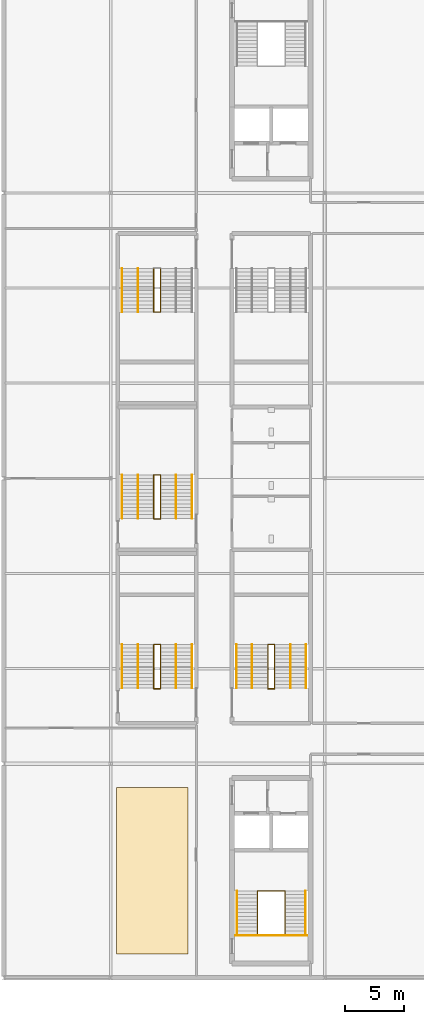
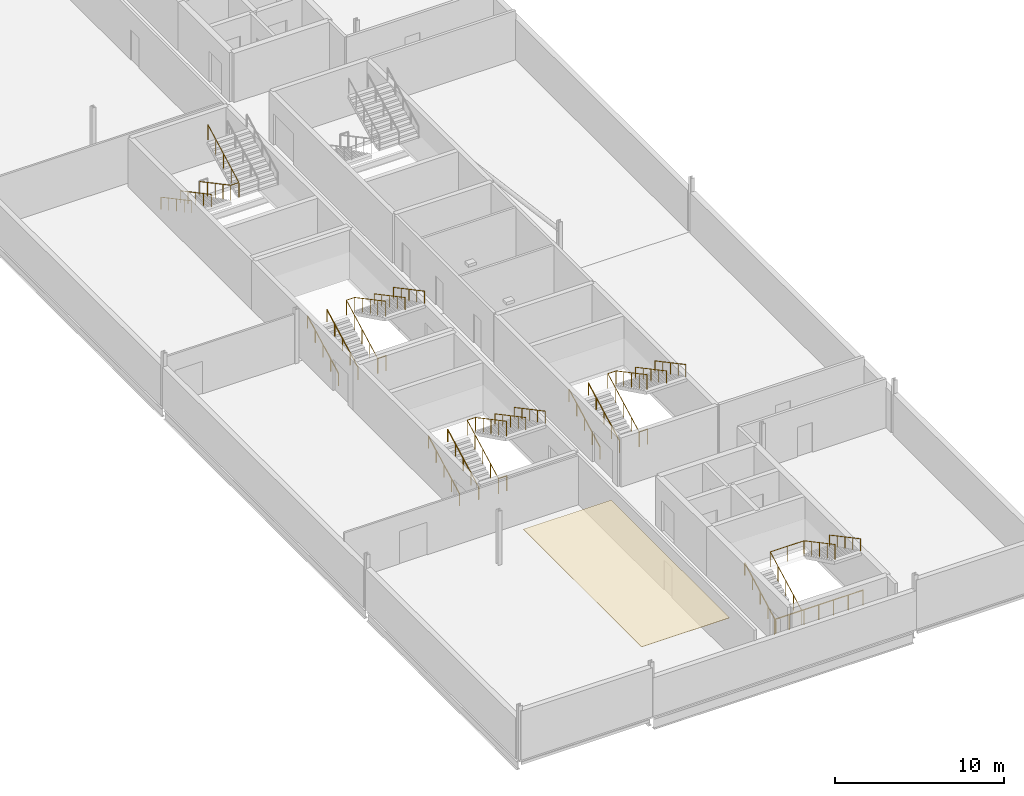
# One storey, part 28 of 30: 25 railings, 1 covering.
"""IFC4 building model written with IfcOpenShell, lengths in metres."""

from ifc_helpers import new_model, si_unit, direction, frame, origin, origin_2d, place, context, subcontext, project, spatial, polyline, circle, outline, extrude, material, layer, layer_set, type_object, element, save


model = new_model("IFC4")

# Units and contexts
model_context = context("Model", 3, precision=1e-05, world=origin(), true_north=direction((0.0, 1.0)))
body_context = subcontext(model_context, "Body", "Model", "MODEL_VIEW")
ifc_project = project(units=[si_unit("LENGTHUNIT", "METRE"), si_unit("AREAUNIT", "SQUARE_METRE"), si_unit("VOLUMEUNIT", "CUBIC_METRE"), si_unit("PLANEANGLEUNIT", "RADIAN"), si_unit("MASSUNIT", "GRAM", prefix="KILO")], contexts=[model_context])

# Site, building, storey
site_placement = place(None, origin())
site = spatial("IfcSite", under=ifc_project, at=site_placement, CompositionType="ELEMENT")
building_placement = place(site_placement, origin())
building = spatial("IfcBuilding", under=site, at=building_placement, Name="Kisiwana Market Hall", CompositionType="ELEMENT")
storey_placement = place(building_placement, frame((0.0, 0.0, 54.0)))
storey = spatial("IfcBuildingStorey", under=building, at=storey_placement, Name="L12", CompositionType="ELEMENT", Elevation=54.0)

# Covering
ifc_material_1 = material(Name="Mineral-fibre acoustic ceiling board")
ifc_layer = layer(ifc_material_1, 0.02490234375)
ifc_layer_set = layer_set([ifc_layer], Name="COV-CEIL-AC")
covering_type = type_object("IfcCoveringType", Name="COV-CEIL-AC", PredefinedType="CEILING", material=ifc_layer_set)
covering_placement = place(storey_placement, frame((0.0, 0.0, 3.52001953125)))
element("IfcCovering", 1, at=covering_placement, inside=storey, type_object=covering_type, Name="Acoustic ceiling grid L12-028", PredefinedType="CEILING", context=body_context, shape_type="SweptSolid", body=[
    extrude(outline(polyline([(171.5, 20.0), (177.5, 20.0), (177.5, 34.0), (171.5, 34.0), (171.5, 20.0)])), origin(), (0.0, 0.0, 1.0), 0.02490234375),
])

# Railings
ifc_material_2 = material(Name="Steel S275", Category="steel")
railing_type_1 = type_object("IfcRailingType", Name="RL-GUARD-1100", PredefinedType="GUARDRAIL", material=ifc_material_2)
railing_1_placement = place(storey_placement, frame((183.35009765625, 21.6494140625, 0.0)))
element("IfcRailing", 2, at=railing_1_placement, inside=storey, type_object=railing_type_1, Name="Stair ST-E2-L12 inner-well guardrail (RL-1443)", PredefinedType="GUARDRAIL", context=body_context, shape_type="SweptSolid", body=[
    extrude(circle(Radius=0.02392578125, at=origin_2d()), frame((0.0, 0.0, 1.076171875), z_axis=(0.0, 0.882566327451, 0.470187917379), x_axis=(-1.0, 0.0, 0.0)), (0.0, 0.0, 1.0), 4.147216796875),
    extrude(circle(Radius=0.02392578125, at=origin_2d()), frame((0.0, 3.66015625, 3.02587890625), z_axis=(1.0, 0.0, 0.0), x_axis=(0.0, 1.0, 0.0)), (0.0, 0.0, 1.0), 2.2998046875),
    extrude(circle(Radius=0.02392578125, at=origin_2d()), frame((2.2998046875, 3.66015625, 3.02587890625), z_axis=(0.0, -0.882566327451, 0.470187917379), x_axis=(1.0, 0.0, 0.0)), (0.0, 0.0, 1.0), 4.147216796875),
    extrude(circle(Radius=0.02099609375, at=origin_2d()), origin(), (0.0, 0.0, 1.0), 1.052001953125),
    extrude(circle(Radius=0.02099609375, at=origin_2d()), frame((0.0, 0.9150390625, 0.487548828125)), (0.0, 0.0, 1.0), 1.052001953125),
    extrude(circle(Radius=0.02099609375, at=origin_2d()), frame((0.0, 1.830078125, 0.97509765625)), (0.0, 0.0, 1.0), 1.052001953125),
    extrude(circle(Radius=0.02099609375, at=origin_2d()), frame((0.0, 2.7451171875, 1.46240234375)), (0.0, 0.0, 1.0), 1.052001953125),
    extrude(circle(Radius=0.02099609375, at=origin_2d()), frame((0.0, 3.66015625, 1.949951171875)), (0.0, 0.0, 1.0), 1.052001953125),
    extrude(circle(Radius=0.02099609375, at=origin_2d()), frame((1.14990234375, 3.66015625, 1.949951171875)), (0.0, 0.0, 1.0), 1.052001953125),
    extrude(circle(Radius=0.02099609375, at=origin_2d()), frame((2.2998046875, 3.66015625, 1.949951171875)), (0.0, 0.0, 1.0), 1.052001953125),
    extrude(circle(Radius=0.02099609375, at=origin_2d()), frame((2.2998046875, 2.7451171875, 2.4375)), (0.0, 0.0, 1.0), 1.052001953125),
    extrude(circle(Radius=0.02099609375, at=origin_2d()), frame((2.2998046875, 1.830078125, 2.9248046875)), (0.0, 0.0, 1.0), 1.052001953125),
    extrude(circle(Radius=0.02099609375, at=origin_2d()), frame((2.2998046875, 0.9150390625, 3.412353515625)), (0.0, 0.0, 1.0), 1.052001953125),
    extrude(circle(Radius=0.02099609375, at=origin_2d()), frame((2.2998046875, 0.0, 3.89990234375)), (0.0, 0.0, 1.0), 1.052001953125),
])
railing_2_placement = place(storey_placement, frame((181.47998046875, 21.569580078125, 0.0)))
element("IfcRailing", 3, at=railing_2_placement, inside=storey, type_object=railing_type_1, Name="Stair ST-E2-L12 landing edge guardrail (RL-1446)", PredefinedType="GUARDRAIL", context=body_context, shape_type="SweptSolid", body=[
    extrude(circle(Radius=0.02392578125, at=origin_2d()), frame((0.0, 0.0, 1.076171875), z_axis=(1.0, 0.0, 0.0), x_axis=(0.0, 1.0, 0.0)), (0.0, 0.0, 1.0), 6.0400390625),
    extrude(circle(Radius=0.02099609375, at=origin_2d()), origin(), (0.0, 0.0, 1.0), 1.052001953125),
    extrude(circle(Radius=0.02099609375, at=origin_2d()), frame((1.006591796875, 0.0, 0.0)), (0.0, 0.0, 1.0), 1.052001953125),
    extrude(circle(Radius=0.02099609375, at=origin_2d()), frame((2.013427734375, 0.0, 0.0)), (0.0, 0.0, 1.0), 1.052001953125),
    extrude(circle(Radius=0.02099609375, at=origin_2d()), frame((3.02001953125, 0.0, 0.0)), (0.0, 0.0, 1.0), 1.052001953125),
    extrude(circle(Radius=0.02099609375, at=origin_2d()), frame((4.026611328125, 0.0, 0.0)), (0.0, 0.0, 1.0), 1.052001953125),
    extrude(circle(Radius=0.02099609375, at=origin_2d()), frame((5.033447265625, 0.0, 0.0)), (0.0, 0.0, 1.0), 1.052001953125),
    extrude(circle(Radius=0.02099609375, at=origin_2d()), frame((6.0400390625, 0.0, 0.0)), (0.0, 0.0, 1.0), 1.052001953125),
])
railing_3_placement = place(storey_placement, frame((184.219970703125, 42.360107421875, 0.0)))
element("IfcRailing", 4, at=railing_3_placement, inside=storey, type_object=railing_type_1, Name="Stair ST-E3-L12 inner-well guardrail (RL-1463)", PredefinedType="GUARDRAIL", context=body_context, shape_type="SweptSolid", body=[
    extrude(circle(Radius=0.02392578125, at=origin_2d()), frame((0.0, 0.0, 1.076171875), z_axis=(0.0, 0.88255331184, 0.47021234752), x_axis=(-1.0, 0.0, 0.0)), (0.0, 0.0, 1.0), 4.14697265625),
    extrude(circle(Radius=0.02392578125, at=origin_2d()), frame((0.0, 3.659912109375, 3.02587890625), z_axis=(1.0, 0.0, 0.0), x_axis=(0.0, 1.0, 0.0)), (0.0, 0.0, 1.0), 0.56005859375),
    extrude(circle(Radius=0.02392578125, at=origin_2d()), frame((0.56005859375, 3.659912109375, 3.02587890625), z_axis=(0.0, -0.88255331184, 0.47021234752), x_axis=(1.0, 0.0, 0.0)), (0.0, 0.0, 1.0), 4.14697265625),
    extrude(circle(Radius=0.02099609375, at=origin_2d()), origin(), (0.0, 0.0, 1.0), 1.052001953125),
    extrude(circle(Radius=0.02099609375, at=origin_2d()), frame((0.0, 0.9150390625, 0.487548828125)), (0.0, 0.0, 1.0), 1.052001953125),
    extrude(circle(Radius=0.02099609375, at=origin_2d()), frame((0.0, 1.830078125, 0.97509765625)), (0.0, 0.0, 1.0), 1.052001953125),
    extrude(circle(Radius=0.02099609375, at=origin_2d()), frame((0.0, 2.744873046875, 1.46240234375)), (0.0, 0.0, 1.0), 1.052001953125),
    extrude(circle(Radius=0.02099609375, at=origin_2d()), frame((0.0, 3.659912109375, 1.949951171875)), (0.0, 0.0, 1.0), 1.052001953125),
    extrude(circle(Radius=0.02099609375, at=origin_2d()), frame((0.56005859375, 3.659912109375, 1.949951171875)), (0.0, 0.0, 1.0), 1.052001953125),
    extrude(circle(Radius=0.02099609375, at=origin_2d()), frame((0.56005859375, 2.744873046875, 2.4375)), (0.0, 0.0, 1.0), 1.052001953125),
    extrude(circle(Radius=0.02099609375, at=origin_2d()), frame((0.56005859375, 1.830078125, 2.9248046875)), (0.0, 0.0, 1.0), 1.052001953125),
    extrude(circle(Radius=0.02099609375, at=origin_2d()), frame((0.56005859375, 0.9150390625, 3.412353515625)), (0.0, 0.0, 1.0), 1.052001953125),
    extrude(circle(Radius=0.02099609375, at=origin_2d()), frame((0.56005859375, 0.0, 3.89990234375)), (0.0, 0.0, 1.0), 1.052001953125),
])
railing_4_placement = place(storey_placement, frame((184.219970703125, 42.31005859375, 0.0)))
element("IfcRailing", 5, at=railing_4_placement, inside=storey, type_object=railing_type_1, Name="Stair ST-E3-L12 landing edge guardrail (RL-1468)", PredefinedType="GUARDRAIL", context=body_context, shape_type="SweptSolid", body=[
    extrude(circle(Radius=0.02392578125, at=origin_2d()), frame((0.0, 0.0, 1.076171875), z_axis=(1.0, 0.0, 0.0), x_axis=(0.0, 1.0, 0.0)), (0.0, 0.0, 1.0), 0.56005859375),
    extrude(circle(Radius=0.02099609375, at=origin_2d()), origin(), (0.0, 0.0, 1.0), 1.052001953125),
    extrude(circle(Radius=0.02099609375, at=origin_2d()), frame((0.56005859375, 0.0, 0.0)), (0.0, 0.0, 1.0), 1.052001953125),
])
railing_5_placement = place(storey_placement, frame((174.6201171875, 42.360107421875, 0.0)))
element("IfcRailing", 6, at=railing_5_placement, inside=storey, type_object=railing_type_1, Name="Stair ST-E7-L12 inner-well guardrail (RL-1481)", PredefinedType="GUARDRAIL", context=body_context, shape_type="SweptSolid", body=[
    extrude(circle(Radius=0.02392578125, at=origin_2d()), frame((0.0, 0.0, 1.076171875), z_axis=(0.0, 0.88255331184, 0.47021234752), x_axis=(-1.0, 0.0, 0.0)), (0.0, 0.0, 1.0), 4.14697265625),
    extrude(circle(Radius=0.02392578125, at=origin_2d()), frame((0.0, 3.659912109375, 3.02587890625), z_axis=(1.0, 0.0, 0.0), x_axis=(0.0, 1.0, 0.0)), (0.0, 0.0, 1.0), 0.559814453125),
    extrude(circle(Radius=0.02392578125, at=origin_2d()), frame((0.559814453125, 3.659912109375, 3.02587890625), z_axis=(0.0, -0.88255331184, 0.47021234752), x_axis=(1.0, 0.0, 0.0)), (0.0, 0.0, 1.0), 4.14697265625),
    extrude(circle(Radius=0.02099609375, at=origin_2d()), origin(), (0.0, 0.0, 1.0), 1.052001953125),
    extrude(circle(Radius=0.02099609375, at=origin_2d()), frame((0.0, 0.9150390625, 0.487548828125)), (0.0, 0.0, 1.0), 1.052001953125),
    extrude(circle(Radius=0.02099609375, at=origin_2d()), frame((0.0, 1.830078125, 0.97509765625)), (0.0, 0.0, 1.0), 1.052001953125),
    extrude(circle(Radius=0.02099609375, at=origin_2d()), frame((0.0, 2.744873046875, 1.46240234375)), (0.0, 0.0, 1.0), 1.052001953125),
    extrude(circle(Radius=0.02099609375, at=origin_2d()), frame((0.0, 3.659912109375, 1.949951171875)), (0.0, 0.0, 1.0), 1.052001953125),
    extrude(circle(Radius=0.02099609375, at=origin_2d()), frame((0.559814453125, 3.659912109375, 1.949951171875)), (0.0, 0.0, 1.0), 1.052001953125),
    extrude(circle(Radius=0.02099609375, at=origin_2d()), frame((0.559814453125, 2.744873046875, 2.4375)), (0.0, 0.0, 1.0), 1.052001953125),
    extrude(circle(Radius=0.02099609375, at=origin_2d()), frame((0.559814453125, 1.830078125, 2.9248046875)), (0.0, 0.0, 1.0), 1.052001953125),
    extrude(circle(Radius=0.02099609375, at=origin_2d()), frame((0.559814453125, 0.9150390625, 3.412353515625)), (0.0, 0.0, 1.0), 1.052001953125),
    extrude(circle(Radius=0.02099609375, at=origin_2d()), frame((0.559814453125, 0.0, 3.89990234375)), (0.0, 0.0, 1.0), 1.052001953125),
])
railing_6_placement = place(storey_placement, frame((174.6201171875, 42.31005859375, 0.0)))
element("IfcRailing", 7, at=railing_6_placement, inside=storey, type_object=railing_type_1, Name="Stair ST-E7-L12 landing edge guardrail (RL-1486)", PredefinedType="GUARDRAIL", context=body_context, shape_type="SweptSolid", body=[
    extrude(circle(Radius=0.02392578125, at=origin_2d()), frame((0.0, 0.0, 1.076171875), z_axis=(1.0, 0.0, 0.0), x_axis=(0.0, 1.0, 0.0)), (0.0, 0.0, 1.0), 0.559814453125),
    extrude(circle(Radius=0.02099609375, at=origin_2d()), origin(), (0.0, 0.0, 1.0), 1.052001953125),
    extrude(circle(Radius=0.02099609375, at=origin_2d()), frame((0.559814453125, 0.0, 0.0)), (0.0, 0.0, 1.0), 1.052001953125),
])
railing_7_placement = place(storey_placement, frame((174.6201171875, 77.639892578125, 0.0)))
element("IfcRailing", 8, at=railing_7_placement, inside=storey, type_object=railing_type_1, Name="Stair ST-E8-L12 inner-well guardrail (RL-1493)", PredefinedType="GUARDRAIL", context=body_context, shape_type="SweptSolid", body=[
    extrude(circle(Radius=0.02392578125, at=origin_2d()), frame((0.0, 0.0, 1.076171875), z_axis=(0.0, -0.88255331184, 0.47021234752), x_axis=(1.0, 0.0, 0.0)), (0.0, 0.0, 1.0), 4.14697265625),
    extrude(circle(Radius=0.02392578125, at=origin_2d()), frame((0.0, -3.659912109375, 3.02587890625), z_axis=(1.0, 0.0, 0.0), x_axis=(0.0, 1.0, 0.0)), (0.0, 0.0, 1.0), 0.559814453125),
    extrude(circle(Radius=0.02392578125, at=origin_2d()), frame((0.559814453125, -3.659912109375, 3.02587890625), z_axis=(0.0, 0.88255331184, 0.47021234752), x_axis=(-1.0, 0.0, 0.0)), (0.0, 0.0, 1.0), 4.14697265625),
    extrude(circle(Radius=0.02099609375, at=origin_2d()), origin(), (0.0, 0.0, 1.0), 1.052001953125),
    extrude(circle(Radius=0.02099609375, at=origin_2d()), frame((0.0, -0.9150390625, 0.487548828125)), (0.0, 0.0, 1.0), 1.052001953125),
    extrude(circle(Radius=0.02099609375, at=origin_2d()), frame((0.0, -1.830078125, 0.97509765625)), (0.0, 0.0, 1.0), 1.052001953125),
    extrude(circle(Radius=0.02099609375, at=origin_2d()), frame((0.0, -2.744873046875, 1.46240234375)), (0.0, 0.0, 1.0), 1.052001953125),
    extrude(circle(Radius=0.02099609375, at=origin_2d()), frame((0.0, -3.659912109375, 1.949951171875)), (0.0, 0.0, 1.0), 1.052001953125),
    extrude(circle(Radius=0.02099609375, at=origin_2d()), frame((0.559814453125, -3.659912109375, 1.949951171875)), (0.0, 0.0, 1.0), 1.052001953125),
    extrude(circle(Radius=0.02099609375, at=origin_2d()), frame((0.559814453125, -2.744873046875, 2.4375)), (0.0, 0.0, 1.0), 1.052001953125),
    extrude(circle(Radius=0.02099609375, at=origin_2d()), frame((0.559814453125, -1.830078125, 2.9248046875)), (0.0, 0.0, 1.0), 1.052001953125),
    extrude(circle(Radius=0.02099609375, at=origin_2d()), frame((0.559814453125, -0.9150390625, 3.412353515625)), (0.0, 0.0, 1.0), 1.052001953125),
    extrude(circle(Radius=0.02099609375, at=origin_2d()), frame((0.559814453125, 0.0, 3.89990234375)), (0.0, 0.0, 1.0), 1.052001953125),
])
railing_8_placement = place(storey_placement, frame((174.6201171875, 56.639892578125, 0.0)))
element("IfcRailing", 9, at=railing_8_placement, inside=storey, type_object=railing_type_1, Name="Stair ST-E5-L12 inner-well guardrail (RL-1505)", PredefinedType="GUARDRAIL", context=body_context, shape_type="SweptSolid", body=[
    extrude(circle(Radius=0.02392578125, at=origin_2d()), frame((0.0, 0.0, 1.076171875), z_axis=(0.0, 0.882566327451, 0.470187917379), x_axis=(-1.0, 0.0, 0.0)), (0.0, 0.0, 1.0), 4.147216796875),
    extrude(circle(Radius=0.02392578125, at=origin_2d()), frame((0.0, 3.66015625, 3.02587890625), z_axis=(1.0, 0.0, 0.0), x_axis=(0.0, 1.0, 0.0)), (0.0, 0.0, 1.0), 0.559814453125),
    extrude(circle(Radius=0.02392578125, at=origin_2d()), frame((0.559814453125, 3.66015625, 3.02587890625), z_axis=(0.0, -0.882566327451, 0.470187917379), x_axis=(1.0, 0.0, 0.0)), (0.0, 0.0, 1.0), 4.147216796875),
    extrude(circle(Radius=0.02099609375, at=origin_2d()), origin(), (0.0, 0.0, 1.0), 1.052001953125),
    extrude(circle(Radius=0.02099609375, at=origin_2d()), frame((0.0, 0.9150390625, 0.487548828125)), (0.0, 0.0, 1.0), 1.052001953125),
    extrude(circle(Radius=0.02099609375, at=origin_2d()), frame((0.0, 1.830078125, 0.97509765625)), (0.0, 0.0, 1.0), 1.052001953125),
    extrude(circle(Radius=0.02099609375, at=origin_2d()), frame((0.0, 2.7451171875, 1.46240234375)), (0.0, 0.0, 1.0), 1.052001953125),
    extrude(circle(Radius=0.02099609375, at=origin_2d()), frame((0.0, 3.66015625, 1.949951171875)), (0.0, 0.0, 1.0), 1.052001953125),
    extrude(circle(Radius=0.02099609375, at=origin_2d()), frame((0.559814453125, 3.66015625, 1.949951171875)), (0.0, 0.0, 1.0), 1.052001953125),
    extrude(circle(Radius=0.02099609375, at=origin_2d()), frame((0.559814453125, 2.7451171875, 2.4375)), (0.0, 0.0, 1.0), 1.052001953125),
    extrude(circle(Radius=0.02099609375, at=origin_2d()), frame((0.559814453125, 1.830078125, 2.9248046875)), (0.0, 0.0, 1.0), 1.052001953125),
    extrude(circle(Radius=0.02099609375, at=origin_2d()), frame((0.559814453125, 0.9150390625, 3.412353515625)), (0.0, 0.0, 1.0), 1.052001953125),
    extrude(circle(Radius=0.02099609375, at=origin_2d()), frame((0.559814453125, 0.0, 3.89990234375)), (0.0, 0.0, 1.0), 1.052001953125),
])
railing_9_placement = place(storey_placement, frame((174.6201171875, 56.590087890625, 0.0)))
element("IfcRailing", 10, at=railing_9_placement, inside=storey, type_object=railing_type_1, Name="Stair ST-E5-L12 landing edge guardrail (RL-1510)", PredefinedType="GUARDRAIL", context=body_context, shape_type="SweptSolid", body=[
    extrude(circle(Radius=0.02392578125, at=origin_2d()), frame((0.0, 0.0, 1.076171875), z_axis=(1.0, 0.0, 0.0), x_axis=(0.0, 1.0, 0.0)), (0.0, 0.0, 1.0), 0.559814453125),
    extrude(circle(Radius=0.02099609375, at=origin_2d()), origin(), (0.0, 0.0, 1.0), 1.052001953125),
    extrude(circle(Radius=0.02099609375, at=origin_2d()), frame((0.559814453125, 0.0, 0.0)), (0.0, 0.0, 1.0), 1.052001953125),
])
ifc_material_3 = material(Name="Steel S275", Category="steel")
railing_type_2 = type_object("IfcRailingType", Name="RL-HAND-900", PredefinedType="HANDRAIL", material=ifc_material_3)
railing_10_placement = place(storey_placement, frame((181.610107421875, 21.6494140625, 0.0)))
element("IfcRailing", 11, at=railing_10_placement, inside=storey, type_object=railing_type_2, Name="Stair ST-E2-L12 flight 1 handrail (RL-1444)", PredefinedType="HANDRAIL", context=body_context, shape_type="SweptSolid", body=[
    extrude(circle(Radius=0.02392578125, at=origin_2d()), frame((0.0, 0.0, 0.8759765625), z_axis=(0.0, 0.882566327451, 0.470187917379), x_axis=(-1.0, 0.0, 0.0)), (0.0, 0.0, 1.0), 4.147216796875),
    extrude(circle(Radius=0.02099609375, at=origin_2d()), origin(), (0.0, 0.0, 1.0), 0.851806640625),
    extrude(circle(Radius=0.02099609375, at=origin_2d()), frame((0.0, 0.9150390625, 0.487548828125)), (0.0, 0.0, 1.0), 0.851806640625),
    extrude(circle(Radius=0.02099609375, at=origin_2d()), frame((0.0, 1.830078125, 0.97509765625)), (0.0, 0.0, 1.0), 0.851806640625),
    extrude(circle(Radius=0.02099609375, at=origin_2d()), frame((0.0, 2.7451171875, 1.46240234375)), (0.0, 0.0, 1.0), 0.851806640625),
    extrude(circle(Radius=0.02099609375, at=origin_2d()), frame((0.0, 3.66015625, 1.949951171875)), (0.0, 0.0, 1.0), 0.851806640625),
])
railing_11_placement = place(storey_placement, frame((187.389892578125, 25.3095703125, 1.949951171875)))
element("IfcRailing", 12, at=railing_11_placement, inside=storey, type_object=railing_type_2, Name="Stair ST-E2-L12 flight 2 handrail (RL-1445)", PredefinedType="HANDRAIL", context=body_context, shape_type="SweptSolid", body=[
    extrude(circle(Radius=0.02392578125, at=origin_2d()), frame((0.0, 0.0, 0.8759765625), z_axis=(0.0, -0.882566327451, 0.470187917379), x_axis=(1.0, 0.0, 0.0)), (0.0, 0.0, 1.0), 4.147216796875),
    extrude(circle(Radius=0.02099609375, at=origin_2d()), origin(), (0.0, 0.0, 1.0), 0.851806640625),
    extrude(circle(Radius=0.02099609375, at=origin_2d()), frame((0.0, -0.9150390625, 0.487548828125)), (0.0, 0.0, 1.0), 0.851806640625),
    extrude(circle(Radius=0.02099609375, at=origin_2d()), frame((0.0, -1.830078125, 0.97509765625)), (0.0, 0.0, 1.0), 0.851806640625),
    extrude(circle(Radius=0.02099609375, at=origin_2d()), frame((0.0, -2.7451171875, 1.46240234375)), (0.0, 0.0, 1.0), 0.851806640625),
    extrude(circle(Radius=0.02099609375, at=origin_2d()), frame((0.0, -3.66015625, 1.949951171875)), (0.0, 0.0, 1.0), 0.851806640625),
])
railing_12_placement = place(storey_placement, frame((181.570068359375, 42.360107421875, 0.0)))
element("IfcRailing", 13, at=railing_12_placement, inside=storey, type_object=railing_type_2, Name="Stair ST-E3-L12 flight 1 handrail (RL-1464)", PredefinedType="HANDRAIL", context=body_context, shape_type="SweptSolid", body=[
    extrude(circle(Radius=0.02392578125, at=origin_2d()), frame((0.0, 0.0, 0.8759765625), z_axis=(0.0, 0.88255331184, 0.47021234752), x_axis=(-1.0, 0.0, 0.0)), (0.0, 0.0, 1.0), 4.14697265625),
    extrude(circle(Radius=0.02099609375, at=origin_2d()), origin(), (0.0, 0.0, 1.0), 0.851806640625),
    extrude(circle(Radius=0.02099609375, at=origin_2d()), frame((0.0, 0.9150390625, 0.487548828125)), (0.0, 0.0, 1.0), 0.851806640625),
    extrude(circle(Radius=0.02099609375, at=origin_2d()), frame((0.0, 1.830078125, 0.97509765625)), (0.0, 0.0, 1.0), 0.851806640625),
    extrude(circle(Radius=0.02099609375, at=origin_2d()), frame((0.0, 2.744873046875, 1.46240234375)), (0.0, 0.0, 1.0), 0.851806640625),
    extrude(circle(Radius=0.02099609375, at=origin_2d()), frame((0.0, 3.659912109375, 1.949951171875)), (0.0, 0.0, 1.0), 0.851806640625),
])
railing_13_placement = place(storey_placement, frame((187.429931640625, 46.02001953125, 1.949951171875)))
element("IfcRailing", 14, at=railing_13_placement, inside=storey, type_object=railing_type_2, Name="Stair ST-E3-L12 flight 2 handrail (RL-1465)", PredefinedType="HANDRAIL", context=body_context, shape_type="SweptSolid", body=[
    extrude(circle(Radius=0.02392578125, at=origin_2d()), frame((0.0, 0.0, 0.8759765625), z_axis=(0.0, -0.88255331184, 0.47021234752), x_axis=(1.0, 0.0, 0.0)), (0.0, 0.0, 1.0), 4.14697265625),
    extrude(circle(Radius=0.02099609375, at=origin_2d()), origin(), (0.0, 0.0, 1.0), 0.851806640625),
    extrude(circle(Radius=0.02099609375, at=origin_2d()), frame((0.0, -0.9150390625, 0.487548828125)), (0.0, 0.0, 1.0), 0.851806640625),
    extrude(circle(Radius=0.02099609375, at=origin_2d()), frame((0.0, -1.830078125, 0.97509765625)), (0.0, 0.0, 1.0), 0.851806640625),
    extrude(circle(Radius=0.02099609375, at=origin_2d()), frame((0.0, -2.744873046875, 1.46240234375)), (0.0, 0.0, 1.0), 0.851806640625),
    extrude(circle(Radius=0.02099609375, at=origin_2d()), frame((0.0, -3.659912109375, 1.949951171875)), (0.0, 0.0, 1.0), 0.851806640625),
])
railing_14_placement = place(storey_placement, frame((182.889892578125, 42.360107421875, 0.0)))
element("IfcRailing", 15, at=railing_14_placement, inside=storey, type_object=railing_type_2, Name="Stair ST-E3-L12 flight 1 intermediate handrail (RL-1466)", PredefinedType="HANDRAIL", context=body_context, shape_type="SweptSolid", body=[
    extrude(circle(Radius=0.02392578125, at=origin_2d()), frame((0.0, 0.0, 0.8759765625), z_axis=(0.0, 0.88255331184, 0.47021234752), x_axis=(-1.0, 0.0, 0.0)), (0.0, 0.0, 1.0), 4.14697265625),
    extrude(circle(Radius=0.02099609375, at=origin_2d()), origin(), (0.0, 0.0, 1.0), 0.851806640625),
    extrude(circle(Radius=0.02099609375, at=origin_2d()), frame((0.0, 0.9150390625, 0.487548828125)), (0.0, 0.0, 1.0), 0.851806640625),
    extrude(circle(Radius=0.02099609375, at=origin_2d()), frame((0.0, 1.830078125, 0.97509765625)), (0.0, 0.0, 1.0), 0.851806640625),
    extrude(circle(Radius=0.02099609375, at=origin_2d()), frame((0.0, 2.744873046875, 1.46240234375)), (0.0, 0.0, 1.0), 0.851806640625),
    extrude(circle(Radius=0.02099609375, at=origin_2d()), frame((0.0, 3.659912109375, 1.949951171875)), (0.0, 0.0, 1.0), 0.851806640625),
])
railing_15_placement = place(storey_placement, frame((186.110107421875, 46.02001953125, 1.949951171875)))
element("IfcRailing", 16, at=railing_15_placement, inside=storey, type_object=railing_type_2, Name="Stair ST-E3-L12 flight 2 intermediate handrail (RL-1467)", PredefinedType="HANDRAIL", context=body_context, shape_type="SweptSolid", body=[
    extrude(circle(Radius=0.02392578125, at=origin_2d()), frame((0.0, 0.0, 0.8759765625), z_axis=(0.0, -0.88255331184, 0.47021234752), x_axis=(1.0, 0.0, 0.0)), (0.0, 0.0, 1.0), 4.14697265625),
    extrude(circle(Radius=0.02099609375, at=origin_2d()), origin(), (0.0, 0.0, 1.0), 0.851806640625),
    extrude(circle(Radius=0.02099609375, at=origin_2d()), frame((0.0, -0.9150390625, 0.487548828125)), (0.0, 0.0, 1.0), 0.851806640625),
    extrude(circle(Radius=0.02099609375, at=origin_2d()), frame((0.0, -1.830078125, 0.97509765625)), (0.0, 0.0, 1.0), 0.851806640625),
    extrude(circle(Radius=0.02099609375, at=origin_2d()), frame((0.0, -2.744873046875, 1.46240234375)), (0.0, 0.0, 1.0), 0.851806640625),
    extrude(circle(Radius=0.02099609375, at=origin_2d()), frame((0.0, -3.659912109375, 1.949951171875)), (0.0, 0.0, 1.0), 0.851806640625),
])
railing_16_placement = place(storey_placement, frame((171.969970703125, 42.360107421875, 0.0)))
element("IfcRailing", 17, at=railing_16_placement, inside=storey, type_object=railing_type_2, Name="Stair ST-E7-L12 flight 1 handrail (RL-1482)", PredefinedType="HANDRAIL", context=body_context, shape_type="SweptSolid", body=[
    extrude(circle(Radius=0.02392578125, at=origin_2d()), frame((0.0, 0.0, 0.8759765625), z_axis=(0.0, 0.88255331184, 0.47021234752), x_axis=(-1.0, 0.0, 0.0)), (0.0, 0.0, 1.0), 4.14697265625),
    extrude(circle(Radius=0.02099609375, at=origin_2d()), origin(), (0.0, 0.0, 1.0), 0.851806640625),
    extrude(circle(Radius=0.02099609375, at=origin_2d()), frame((0.0, 0.9150390625, 0.487548828125)), (0.0, 0.0, 1.0), 0.851806640625),
    extrude(circle(Radius=0.02099609375, at=origin_2d()), frame((0.0, 1.830078125, 0.97509765625)), (0.0, 0.0, 1.0), 0.851806640625),
    extrude(circle(Radius=0.02099609375, at=origin_2d()), frame((0.0, 2.744873046875, 1.46240234375)), (0.0, 0.0, 1.0), 0.851806640625),
    extrude(circle(Radius=0.02099609375, at=origin_2d()), frame((0.0, 3.659912109375, 1.949951171875)), (0.0, 0.0, 1.0), 0.851806640625),
])
railing_17_placement = place(storey_placement, frame((177.830078125, 46.02001953125, 1.949951171875)))
element("IfcRailing", 18, at=railing_17_placement, inside=storey, type_object=railing_type_2, Name="Stair ST-E7-L12 flight 2 handrail (RL-1483)", PredefinedType="HANDRAIL", context=body_context, shape_type="SweptSolid", body=[
    extrude(circle(Radius=0.02392578125, at=origin_2d()), frame((0.0, 0.0, 0.8759765625), z_axis=(0.0, -0.88255331184, 0.47021234752), x_axis=(1.0, 0.0, 0.0)), (0.0, 0.0, 1.0), 4.14697265625),
    extrude(circle(Radius=0.02099609375, at=origin_2d()), origin(), (0.0, 0.0, 1.0), 0.851806640625),
    extrude(circle(Radius=0.02099609375, at=origin_2d()), frame((0.0, -0.9150390625, 0.487548828125)), (0.0, 0.0, 1.0), 0.851806640625),
    extrude(circle(Radius=0.02099609375, at=origin_2d()), frame((0.0, -1.830078125, 0.97509765625)), (0.0, 0.0, 1.0), 0.851806640625),
    extrude(circle(Radius=0.02099609375, at=origin_2d()), frame((0.0, -2.744873046875, 1.46240234375)), (0.0, 0.0, 1.0), 0.851806640625),
    extrude(circle(Radius=0.02099609375, at=origin_2d()), frame((0.0, -3.659912109375, 1.949951171875)), (0.0, 0.0, 1.0), 0.851806640625),
])
railing_18_placement = place(storey_placement, frame((173.2900390625, 42.360107421875, 0.0)))
element("IfcRailing", 19, at=railing_18_placement, inside=storey, type_object=railing_type_2, Name="Stair ST-E7-L12 flight 1 intermediate handrail (RL-1484)", PredefinedType="HANDRAIL", context=body_context, shape_type="SweptSolid", body=[
    extrude(circle(Radius=0.02392578125, at=origin_2d()), frame((0.0, 0.0, 0.8759765625), z_axis=(0.0, 0.88255331184, 0.47021234752), x_axis=(-1.0, 0.0, 0.0)), (0.0, 0.0, 1.0), 4.14697265625),
    extrude(circle(Radius=0.02099609375, at=origin_2d()), origin(), (0.0, 0.0, 1.0), 0.851806640625),
    extrude(circle(Radius=0.02099609375, at=origin_2d()), frame((0.0, 0.9150390625, 0.487548828125)), (0.0, 0.0, 1.0), 0.851806640625),
    extrude(circle(Radius=0.02099609375, at=origin_2d()), frame((0.0, 1.830078125, 0.97509765625)), (0.0, 0.0, 1.0), 0.851806640625),
    extrude(circle(Radius=0.02099609375, at=origin_2d()), frame((0.0, 2.744873046875, 1.46240234375)), (0.0, 0.0, 1.0), 0.851806640625),
    extrude(circle(Radius=0.02099609375, at=origin_2d()), frame((0.0, 3.659912109375, 1.949951171875)), (0.0, 0.0, 1.0), 0.851806640625),
])
for number, where, name in (
    (20, (176.510009765625, 46.02001953125, 1.949951171875), "Stair ST-E7-L12 flight 2 intermediate handrail (RL-1485)"),
    (21, (171.969970703125, 77.639892578125, 0.0), "Stair ST-E8-L12 flight 1 handrail (RL-1494)"),
    (22, (173.2900390625, 77.639892578125, 0.0), "Stair ST-E8-L12 flight 1 intermediate handrail (RL-1496)"),
):
    element("IfcRailing", number, at=place(storey_placement, frame(where)), inside=storey, type_object=railing_type_2, Name=name, PredefinedType="HANDRAIL", context=body_context, shape_type="SweptSolid", body=[
        extrude(circle(Radius=0.02392578125, at=origin_2d()), frame((0.0, 0.0, 0.8759765625), z_axis=(0.0, -0.88255331184, 0.47021234752), x_axis=(1.0, 0.0, 0.0)), (0.0, 0.0, 1.0), 4.14697265625),
        extrude(circle(Radius=0.02099609375, at=origin_2d()), origin(), (0.0, 0.0, 1.0), 0.851806640625),
        extrude(circle(Radius=0.02099609375, at=origin_2d()), frame((0.0, -0.9150390625, 0.487548828125)), (0.0, 0.0, 1.0), 0.851806640625),
        extrude(circle(Radius=0.02099609375, at=origin_2d()), frame((0.0, -1.830078125, 0.97509765625)), (0.0, 0.0, 1.0), 0.851806640625),
        extrude(circle(Radius=0.02099609375, at=origin_2d()), frame((0.0, -2.744873046875, 1.46240234375)), (0.0, 0.0, 1.0), 0.851806640625),
        extrude(circle(Radius=0.02099609375, at=origin_2d()), frame((0.0, -3.659912109375, 1.949951171875)), (0.0, 0.0, 1.0), 0.851806640625),
    ])
railing_19_placement = place(storey_placement, frame((171.969970703125, 56.639892578125, 0.0)))
element("IfcRailing", 23, at=railing_19_placement, inside=storey, type_object=railing_type_2, Name="Stair ST-E5-L12 flight 1 handrail (RL-1506)", PredefinedType="HANDRAIL", context=body_context, shape_type="SweptSolid", body=[
    extrude(circle(Radius=0.02392578125, at=origin_2d()), frame((0.0, 0.0, 0.8759765625), z_axis=(0.0, 0.882566327451, 0.470187917379), x_axis=(-1.0, 0.0, 0.0)), (0.0, 0.0, 1.0), 4.147216796875),
    extrude(circle(Radius=0.02099609375, at=origin_2d()), origin(), (0.0, 0.0, 1.0), 0.851806640625),
    extrude(circle(Radius=0.02099609375, at=origin_2d()), frame((0.0, 0.9150390625, 0.487548828125)), (0.0, 0.0, 1.0), 0.851806640625),
    extrude(circle(Radius=0.02099609375, at=origin_2d()), frame((0.0, 1.830078125, 0.97509765625)), (0.0, 0.0, 1.0), 0.851806640625),
    extrude(circle(Radius=0.02099609375, at=origin_2d()), frame((0.0, 2.7451171875, 1.46240234375)), (0.0, 0.0, 1.0), 0.851806640625),
    extrude(circle(Radius=0.02099609375, at=origin_2d()), frame((0.0, 3.66015625, 1.949951171875)), (0.0, 0.0, 1.0), 0.851806640625),
])
railing_20_placement = place(storey_placement, frame((177.830078125, 60.300048828125, 1.949951171875)))
element("IfcRailing", 24, at=railing_20_placement, inside=storey, type_object=railing_type_2, Name="Stair ST-E5-L12 flight 2 handrail (RL-1507)", PredefinedType="HANDRAIL", context=body_context, shape_type="SweptSolid", body=[
    extrude(circle(Radius=0.02392578125, at=origin_2d()), frame((0.0, 0.0, 0.8759765625), z_axis=(0.0, -0.882566327451, 0.470187917379), x_axis=(1.0, 0.0, 0.0)), (0.0, 0.0, 1.0), 4.147216796875),
    extrude(circle(Radius=0.02099609375, at=origin_2d()), origin(), (0.0, 0.0, 1.0), 0.851806640625),
    extrude(circle(Radius=0.02099609375, at=origin_2d()), frame((0.0, -0.9150390625, 0.487548828125)), (0.0, 0.0, 1.0), 0.851806640625),
    extrude(circle(Radius=0.02099609375, at=origin_2d()), frame((0.0, -1.830078125, 0.97509765625)), (0.0, 0.0, 1.0), 0.851806640625),
    extrude(circle(Radius=0.02099609375, at=origin_2d()), frame((0.0, -2.7451171875, 1.46240234375)), (0.0, 0.0, 1.0), 0.851806640625),
    extrude(circle(Radius=0.02099609375, at=origin_2d()), frame((0.0, -3.66015625, 1.949951171875)), (0.0, 0.0, 1.0), 0.851806640625),
])
railing_21_placement = place(storey_placement, frame((173.2900390625, 56.639892578125, 0.0)))
element("IfcRailing", 25, at=railing_21_placement, inside=storey, type_object=railing_type_2, Name="Stair ST-E5-L12 flight 1 intermediate handrail (RL-1508)", PredefinedType="HANDRAIL", context=body_context, shape_type="SweptSolid", body=[
    extrude(circle(Radius=0.02392578125, at=origin_2d()), frame((0.0, 0.0, 0.8759765625), z_axis=(0.0, 0.882566327451, 0.470187917379), x_axis=(-1.0, 0.0, 0.0)), (0.0, 0.0, 1.0), 4.147216796875),
    extrude(circle(Radius=0.02099609375, at=origin_2d()), origin(), (0.0, 0.0, 1.0), 0.851806640625),
    extrude(circle(Radius=0.02099609375, at=origin_2d()), frame((0.0, 0.9150390625, 0.487548828125)), (0.0, 0.0, 1.0), 0.851806640625),
    extrude(circle(Radius=0.02099609375, at=origin_2d()), frame((0.0, 1.830078125, 0.97509765625)), (0.0, 0.0, 1.0), 0.851806640625),
    extrude(circle(Radius=0.02099609375, at=origin_2d()), frame((0.0, 2.7451171875, 1.46240234375)), (0.0, 0.0, 1.0), 0.851806640625),
    extrude(circle(Radius=0.02099609375, at=origin_2d()), frame((0.0, 3.66015625, 1.949951171875)), (0.0, 0.0, 1.0), 0.851806640625),
])
railing_22_placement = place(storey_placement, frame((176.510009765625, 60.300048828125, 1.949951171875)))
element("IfcRailing", 26, at=railing_22_placement, inside=storey, type_object=railing_type_2, Name="Stair ST-E5-L12 flight 2 intermediate handrail (RL-1509)", PredefinedType="HANDRAIL", context=body_context, shape_type="SweptSolid", body=[
    extrude(circle(Radius=0.02392578125, at=origin_2d()), frame((0.0, 0.0, 0.8759765625), z_axis=(0.0, -0.882566327451, 0.470187917379), x_axis=(1.0, 0.0, 0.0)), (0.0, 0.0, 1.0), 4.147216796875),
    extrude(circle(Radius=0.02099609375, at=origin_2d()), origin(), (0.0, 0.0, 1.0), 0.851806640625),
    extrude(circle(Radius=0.02099609375, at=origin_2d()), frame((0.0, -0.9150390625, 0.487548828125)), (0.0, 0.0, 1.0), 0.851806640625),
    extrude(circle(Radius=0.02099609375, at=origin_2d()), frame((0.0, -1.830078125, 0.97509765625)), (0.0, 0.0, 1.0), 0.851806640625),
    extrude(circle(Radius=0.02099609375, at=origin_2d()), frame((0.0, -2.7451171875, 1.46240234375)), (0.0, 0.0, 1.0), 0.851806640625),
    extrude(circle(Radius=0.02099609375, at=origin_2d()), frame((0.0, -3.66015625, 1.949951171875)), (0.0, 0.0, 1.0), 0.851806640625),
])

save(model, "model.ifc")
